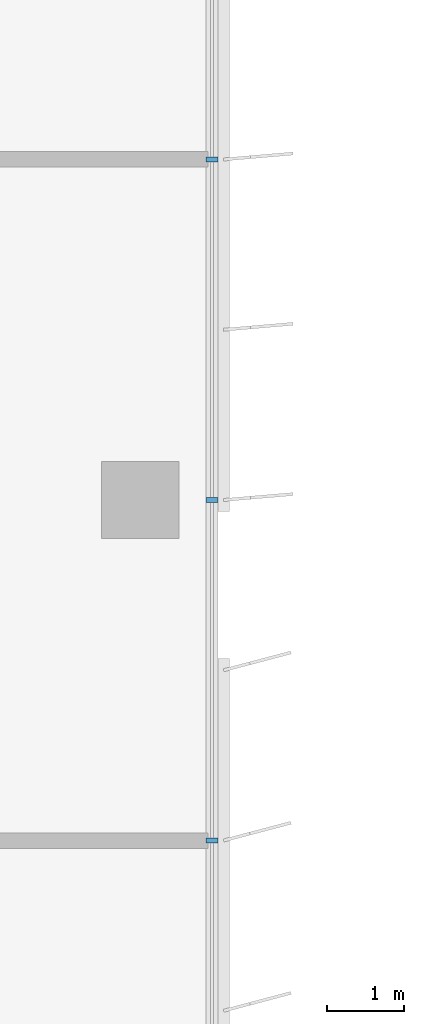
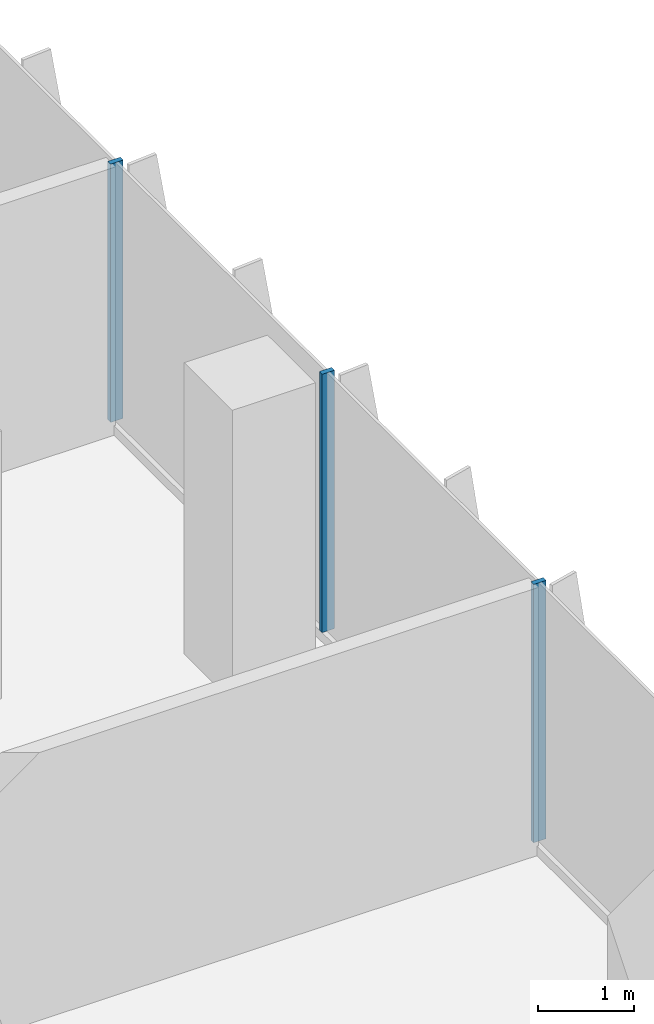
# One storey, part 5 of 21: 3 members, 1 element without a shape of its own.
"""IFC4 building model written with IfcOpenShell, lengths in metres."""

from ifc_helpers import new_model, si_unit, direction, frame, origin, origin_2d, place, context, subcontext, project, spatial, rectangle, extrude, source, transform, mapped, material, material_profile, profile_set, type_object, element, aggregate, save


model = new_model("IFC4")

# Units and contexts
model_context = context("Model", 3, precision=1e-05, world=origin(), true_north=direction((0.0, 1.0)))
body_context = subcontext(model_context, "Body", "Model", "MODEL_VIEW")
ifc_project = project(units=[si_unit("LENGTHUNIT", "METRE"), si_unit("AREAUNIT", "SQUARE_METRE"), si_unit("VOLUMEUNIT", "CUBIC_METRE"), si_unit("PLANEANGLEUNIT", "RADIAN"), si_unit("MASSUNIT", "GRAM", prefix="KILO")], contexts=[model_context])

# Site, building, storey
site_placement = place(None, origin())
site = spatial("IfcSite", under=ifc_project, at=site_placement, CompositionType="ELEMENT")
building_placement = place(site_placement, origin())
building = spatial("IfcBuilding", under=site, at=building_placement, Name="Kemantara Hotel Tower", CompositionType="ELEMENT")
storey_placement = place(building_placement, frame((0.0, 0.0, 179.0)))
storey = spatial("IfcBuildingStorey", under=building, at=storey_placement, Name="L44", CompositionType="ELEMENT", Elevation=179.0)

# Curtain wall, members
ifc_material_1 = material(Name="Low-E tinted double insulated glass 36 mm", Category="glass")
curtain_wall_type = type_object("IfcCurtainWallType", Name="TOWER CURTAIN WALL, FRONT FACES", PredefinedType="USERDEFINED", material=ifc_material_1)
curtain_wall_placement = place(storey_placement, origin())
curtain_wall = element("IfcCurtainWall", 1, at=curtain_wall_placement, inside=storey, type_object=curtain_wall_type, Name="CW4 L44 T3-R17-1", ObjectType="TOWER CURTAIN WALL, FRONT FACES", PredefinedType="USERDEFINED")
ifc_material_2 = material(Name="Aluminium 6063-T6 bronze anodised", Category="aluminium")
ifc_material_profile = material_profile(ifc_material_2, rectangle(XDim=0.14990234375, YDim=0.06005859375, at=origin_2d()), Name="TOWER CURTAIN WALL, FRONT FACES MULLION")
ifc_profile_set = profile_set([ifc_material_profile], Name="Aluminium 6063-T6 bronze anodised")
member_type = type_object("IfcMemberType", Name="TOWER CURTAIN WALL, FRONT FACES MULLION", PredefinedType="MULLION", material=ifc_profile_set)
shared_shape = source(origin(), body_context, "Body", "SweptSolid", [
    extrude(rectangle(XDim=0.14990234375, YDim=0.06005859375, at=origin_2d()), origin(), (0.0, 0.0, 1.0), 3.27978515625),
])
member_1_placement = place(storey_placement, frame((21.925048828125, 31.800048828125, 0.1201171875), z_axis=(0.0, 0.0, 1.0), x_axis=(-1.0, 0.0, 0.0)))
member_1 = element("IfcMember", 2, at=member_1_placement, type_object=member_type, Name="CW4 mullion T3-R17-1.3", PredefinedType="MULLION", context=body_context, shape_type="MappedRepresentation", body=[
    mapped(shared_shape, transform((0.0, 0.0, 0.0))),
])
member_2_placement = place(storey_placement, frame((21.925048828125, 36.199951171875, 0.1201171875), z_axis=(0.0, 0.0, 1.0), x_axis=(-1.0, 0.0, 0.0)))
member_2 = element("IfcMember", 3, at=member_2_placement, type_object=member_type, Name="CW4 mullion T3-R17-1.4", PredefinedType="MULLION", context=body_context, shape_type="MappedRepresentation", body=[
    mapped(shared_shape, transform((0.0, 0.0, 0.0))),
])
member_3_placement = place(storey_placement, frame((21.925048828125, 40.60009765625, 0.1201171875), z_axis=(0.0, 0.0, 1.0), x_axis=(-1.0, 0.0, 0.0)))
member_3 = element("IfcMember", 4, at=member_3_placement, type_object=member_type, Name="CW4 mullion T3-R17-1.5", PredefinedType="MULLION", context=body_context, shape_type="MappedRepresentation", body=[
    mapped(shared_shape, transform((0.0, 0.0, 0.0))),
])
aggregate(curtain_wall, [member_1, member_2, member_3])

save(model, "model.ifc")
